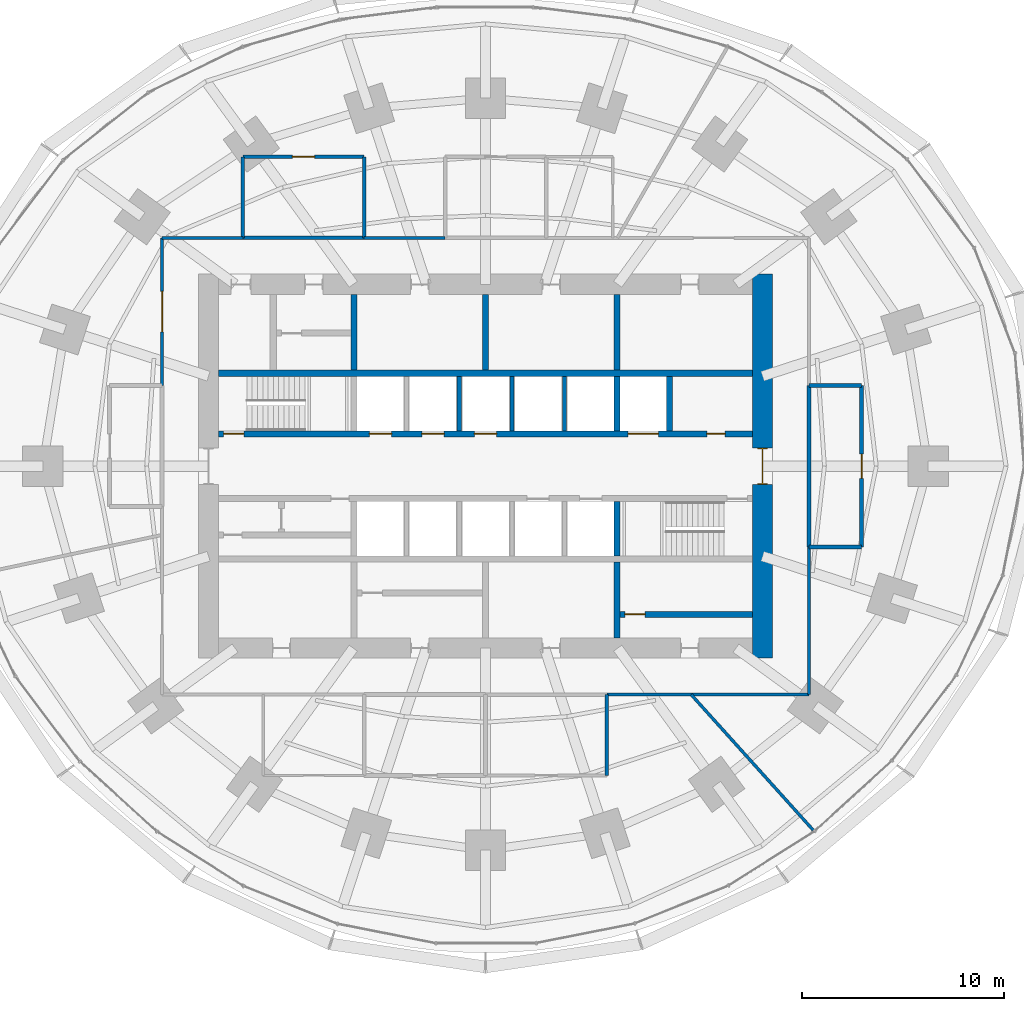
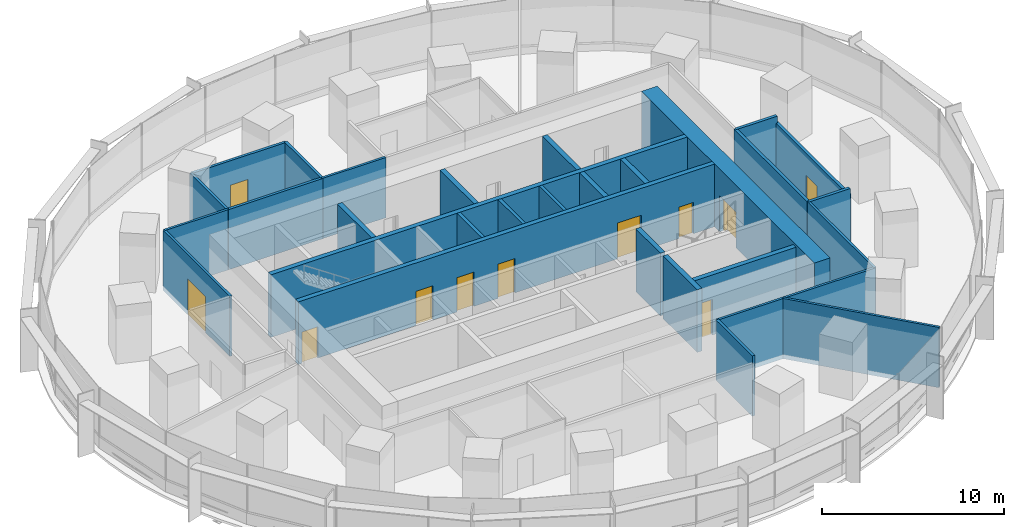
# One storey, part 12 of 15: 29 walls, 11 doors, 11 openings.
"""IFC4 building model written with IfcOpenShell, lengths in metres."""

from ifc_helpers import new_model, si_unit, direction, frame, frame_2d, origin, place, context, subcontext, project, spatial, rectangle, extrude, material, layer, layer_set, type_object, element, fill, save


model = new_model("IFC4")

# Units and contexts
model_context = context("Model", 3, precision=1e-05, world=origin(), true_north=direction((0.0, 1.0)))
body_context = subcontext(model_context, "Body", "Model", "MODEL_VIEW")
ifc_project = project(units=[si_unit("LENGTHUNIT", "METRE"), si_unit("AREAUNIT", "SQUARE_METRE"), si_unit("VOLUMEUNIT", "CUBIC_METRE"), si_unit("PLANEANGLEUNIT", "RADIAN"), si_unit("MASSUNIT", "GRAM", prefix="KILO")], contexts=[model_context])

# Site, building, storey
site_placement = place(None, origin())
site = spatial("IfcSite", under=ifc_project, at=site_placement, CompositionType="ELEMENT")
building_placement = place(site_placement, origin())
building = spatial("IfcBuilding", under=site, at=building_placement, Name="Marramba Exchange Tower", CompositionType="ELEMENT")
storey_placement = place(building_placement, frame((0.0, 0.0, 49.0)))
storey = spatial("IfcBuildingStorey", under=building, at=storey_placement, Name="L11", CompositionType="ELEMENT", Elevation=49.0)

# Walls
ifc_material_1 = material(Name="Plasterboard on staggered double steel studs, acoustic insulation", Category="steel")
ifc_layer_1 = layer(ifc_material_1, 0.169921875)
ifc_layer_set_1 = layer_set([ifc_layer_1], Name="Acoustic partition 170")
wall_type_1 = type_object("IfcWallType", Name="Acoustic partition 170", PredefinedType="PARTITIONING", material=ifc_layer_set_1)
for number, where, z_axis, x_axis, name in (
    (1, (6.0, -15.300048828125, 0.0), (0.0, 0.0, 1.0), (0.0, 1.0, 0.0), "Acoustic partition L11 13"),
    (2, (-6.0, 11.300048828125, 0.0), (0.0, 0.0, 1.0), (0.0, 1.0, 0.0), "Acoustic partition L11 31"),
):
    element("IfcWall", number, at=place(storey_placement, frame(where, z_axis=z_axis, x_axis=x_axis)), inside=storey, type_object=wall_type_1, Name=name, PredefinedType="PARTITIONING", context=body_context, shape_type="SweptSolid", body=[
        extrude(rectangle(XDim=4.0, YDim=0.169921875, at=frame_2d((2.0, 0.0))), origin(), (0.0, 0.0, 1.0), 4.0400390625),
    ])

# Wall, opening, door
wall_1_placement = place(storey_placement, frame((-6.0, 15.300048828125, 0.0), z_axis=(0.0, 0.0, 1.0), x_axis=(-1.0, 0.0, 0.0)))
wall_1 = element("IfcWall", 3, at=wall_1_placement, inside=storey, type_object=wall_type_1, Name="Acoustic partition L11 32", PredefinedType="PARTITIONING", context=body_context, shape_type="SweptSolid", body=[
    extrude(rectangle(XDim=6.0, YDim=0.169921875, at=frame_2d((3.0, 0.0))), origin(), (0.0, 0.0, 1.0), 4.0400390625),
])
opening_1_placement = place(wall_1_placement, frame((2.449951171875, 0.0, 0.0)))
opening_1 = element("IfcOpeningElement", 4, at=opening_1_placement, cuts=wall_1, Name="Opening D15", PredefinedType="OPENING", context=body_context, shape_type="SweptSolid", body=[
    extrude(rectangle(XDim=1.10009765625, YDim=2.39990234375, at=frame_2d((0.550048828125, 1.199951171875))), frame((0.0, 0.094970703125, 0.0), z_axis=(0.0, -1.0, 0.0), x_axis=(1.0, 0.0, 0.0)), (0.0, 0.0, 1.0), 0.18994140625),
])
ifc_material_2 = material(Name="Timber door", Category="wood")
door_type_1 = type_object("IfcDoorType", Name="Glazed meeting room door 1100x2400", OperationType="SINGLE_SWING_LEFT", PredefinedType="DOOR", material=ifc_material_2)
door_1_placement = place(opening_1_placement, origin())
door_1 = element("IfcDoor", 5, at=door_1_placement, inside=storey, type_object=door_type_1, Name="D15 Meeting Room 2 L11", OperationType="SINGLE_SWING_RIGHT", OverallHeight=2.39990234375, OverallWidth=1.10009765625, PredefinedType="DOOR", context=body_context, shape_type="SweptSolid", body=[
    extrude(rectangle(XDim=1.10009765625, YDim=2.39990234375, at=frame_2d((0.550048828125, 1.199951171875))), frame((0.0, 0.02490234375, 0.0), z_axis=(0.0, -1.0, 0.0), x_axis=(1.0, 0.0, 0.0)), (0.0, 0.0, 1.0), 0.050048828125),
])
fill(opening_1, door_1)

# Walls
wall_2_placement = place(storey_placement, frame((-12.0, 11.300048828125, 0.0), z_axis=(0.0, 0.0, 1.0), x_axis=(1.0, 0.0, 0.0)))
element("IfcWall", 6, at=wall_2_placement, inside=storey, type_object=wall_type_1, Name="Acoustic partition L11 33", PredefinedType="PARTITIONING", context=body_context, shape_type="SweptSolid", body=[
    extrude(rectangle(XDim=6.0, YDim=0.169921875, at=frame_2d((3.0, 0.0))), origin(), (0.0, 0.0, 1.0), 4.0400390625),
])
wall_3_placement = place(storey_placement, frame((-12.0, 15.300048828125, 0.0), z_axis=(0.0, 0.0, 1.0), x_axis=(0.0, -1.0, 0.0)))
element("IfcWall", 7, at=wall_3_placement, inside=storey, type_object=wall_type_1, Name="Acoustic partition L11 34", PredefinedType="PARTITIONING", context=body_context, shape_type="SweptSolid", body=[
    extrude(rectangle(XDim=4.0, YDim=0.169921875, at=frame_2d((2.0, 0.0))), origin(), (0.0, 0.0, 1.0), 4.0400390625),
])
ifc_material_3 = material(Name="Concrete N50", Category="concrete")
ifc_layer_2 = layer(ifc_material_3, 0.199951171875)
ifc_layer_set_2 = layer_set([ifc_layer_2], Name="Core shaft wall 200")
wall_type_2 = type_object("IfcWallType", Name="Core shaft wall 200", PredefinedType="SHEAR", material=ifc_layer_set_2)
for number, where, z_axis, x_axis, name in (
    (8, (-1.300048828125, 1.75, 0.0), (0.0, 0.0, 1.0), (0.0, 1.0, 0.0), "Core wall SHN2 L11"),
    (9, (1.300048828125, 1.75, 0.0), (0.0, 0.0, 1.0), (0.0, 1.0, 0.0), "Core wall SHN3 L11"),
    (10, (3.89990234375, 1.75, 0.0), (0.0, 0.0, 1.0), (0.0, 1.0, 0.0), "Core wall SHN4 L11"),
):
    element("IfcWall", number, at=place(storey_placement, frame(where, z_axis=z_axis, x_axis=x_axis)), inside=storey, type_object=wall_type_2, Name=name, PredefinedType="SHEAR", context=body_context, shape_type="SweptSolid", body=[
        extrude(rectangle(XDim=2.699951171875, YDim=0.199951171875, at=frame_2d((1.35009765625, 0.0))), origin(), (0.0, 0.0, 1.0), 4.199951171875),
    ])

# Wall, opening, door
ifc_layer_3 = layer(ifc_material_3, 1.0)
ifc_layer_set_3 = layer_set([ifc_layer_3], Name="Core wall 1000")
wall_type_3 = type_object("IfcWallType", Name="Core wall 1000", PredefinedType="SHEAR", material=ifc_layer_set_3)
wall_4_placement = place(storey_placement, frame((13.699951171875, -9.5, 0.0), z_axis=(0.0, 0.0, 1.0), x_axis=(0.0, 1.0, 0.0)))
wall_4 = element("IfcWall", 11, at=wall_4_placement, inside=storey, type_object=wall_type_3, Name="Core wall E L11", PredefinedType="SHEAR", context=body_context, shape_type="SweptSolid", body=[
    extrude(rectangle(XDim=19.0, YDim=1.0, at=frame_2d((9.5, 0.0))), origin(), (0.0, 0.0, 1.0), 4.199951171875),
])
opening_2_placement = place(wall_4_placement, frame((8.60009765625, 0.0, 0.0)))
opening_2 = element("IfcOpeningElement", 12, at=opening_2_placement, cuts=wall_4, Name="Opening D1", PredefinedType="OPENING", context=body_context, shape_type="SweptSolid", body=[
    extrude(rectangle(XDim=1.800048828125, YDim=2.39990234375, at=frame_2d((0.89990234375, 1.199951171875))), frame((0.0, 0.510009765625, 0.0), z_axis=(0.0, -1.0, 0.0), x_axis=(1.0, 0.0, 0.0)), (0.0, 0.0, 1.0), 1.02001953125),
])
ifc_material_4 = material(Name="Steel-framed door", Category="steel")
door_type_2 = type_object("IfcDoorType", Name="Lobby exit door 1800x2400", OperationType="DOUBLE_DOOR_SINGLE_SWING", PredefinedType="DOOR", material=ifc_material_4)
door_2_placement = place(opening_2_placement, origin())
door_2 = element("IfcDoor", 13, at=door_2_placement, inside=storey, type_object=door_type_2, Name="D1 lobby exit east L11", OperationType="DOUBLE_DOOR_SINGLE_SWING", OverallHeight=2.39990234375, OverallWidth=1.800048828125, PredefinedType="DOOR", context=body_context, shape_type="SweptSolid", body=[
    extrude(rectangle(XDim=1.719970703125, YDim=2.35986328125, at=frame_2d((0.89990234375, 1.179931640625))), frame((0.0, 0.02490234375, 0.0), z_axis=(0.0, -1.0, 0.0), x_axis=(1.0, 0.0, 0.0)), (0.0, 0.0, 1.0), 0.050048828125),
    extrude(rectangle(XDim=0.04, YDim=2.39990234375, at=frame_2d((0.02001953125, 1.199951171875))), frame((0.0, 0.25, 0.0), z_axis=(0.0, -1.0, 0.0), x_axis=(1.0, 0.0, 0.0)), (0.0, 0.0, 1.0), 0.5),
    extrude(rectangle(XDim=0.04, YDim=2.39990234375, at=frame_2d((1.780029296875, 1.199951171875))), frame((0.0, 0.25, 0.0), z_axis=(0.0, -1.0, 0.0), x_axis=(1.0, 0.0, 0.0)), (0.0, 0.0, 1.0), 0.5),
    extrude(rectangle(XDim=1.719970703125, YDim=0.04, at=frame_2d((0.89990234375, 2.3798828125))), frame((0.0, 0.25, 0.0), z_axis=(0.0, -1.0, 0.0), x_axis=(1.0, 0.0, 0.0)), (0.0, 0.0, 1.0), 0.5),
])
fill(opening_2, door_2)

# Wall, openings, doors
ifc_layer_4 = layer(ifc_material_3, 0.300048828125)
ifc_layer_set_4 = layer_set([ifc_layer_4], Name="Core wall 300")
wall_type_4 = type_object("IfcWallType", Name="Core wall 300", PredefinedType="SHEAR", material=ifc_layer_set_4)
wall_5_placement = place(storey_placement, frame((-13.199951171875, 1.60009765625, 0.0), z_axis=(0.0, 0.0, 1.0), x_axis=(1.0, 0.0, 0.0)))
wall_5 = element("IfcWall", 14, at=wall_5_placement, inside=storey, type_object=wall_type_4, Name="Core wall LN L11", PredefinedType="SHEAR", context=body_context, shape_type="SweptSolid", body=[
    extrude(rectangle(XDim=26.39990234375, YDim=0.300048828125, at=frame_2d((13.199951171875, 0.0))), origin(), (0.0, 0.0, 1.0), 4.199951171875),
])
opening_3_placement = place(wall_5_placement, frame((0.25, 0.0, 0.0)))
opening_3 = element("IfcOpeningElement", 15, at=opening_3_placement, cuts=wall_5, Name="Opening D2", PredefinedType="OPENING", context=body_context, shape_type="SweptSolid", body=[
    extrude(rectangle(XDim=1.0, YDim=2.10009765625, at=frame_2d((0.5, 1.050048828125))), frame((0.0, 0.159912109375, 0.0), z_axis=(0.0, -1.0, 0.0), x_axis=(1.0, 0.0, 0.0)), (0.0, 0.0, 1.0), 0.320068359375),
])
opening_4_placement = place(wall_5_placement, frame((20.25, 0.0, 0.0)))
opening_4 = element("IfcOpeningElement", 16, at=opening_4_placement, cuts=wall_5, Name="Opening LD3", PredefinedType="OPENING", context=body_context, shape_type="SweptSolid", body=[
    extrude(rectangle(XDim=1.5, YDim=2.39990234375, at=frame_2d((0.75, 1.199951171875))), frame((0.0, 0.159912109375, 0.0), z_axis=(0.0, -1.0, 0.0), x_axis=(1.0, 0.0, 0.0)), (0.0, 0.0, 1.0), 0.320068359375),
])
opening_5_placement = place(wall_5_placement, frame((7.449951171875, 0.0, 0.0)))
opening_5 = element("IfcOpeningElement", 17, at=opening_5_placement, cuts=wall_5, Name="Opening LD1", PredefinedType="OPENING", context=body_context, shape_type="SweptSolid", body=[
    extrude(rectangle(XDim=1.10009765625, YDim=2.300048828125, at=frame_2d((0.550048828125, 1.14990234375))), frame((0.0, 0.159912109375, 0.0), z_axis=(0.0, -1.0, 0.0), x_axis=(1.0, 0.0, 0.0)), (0.0, 0.0, 1.0), 0.320068359375),
])
opening_6_placement = place(wall_5_placement, frame((10.050048828125, 0.0, 0.0)))
opening_6 = element("IfcOpeningElement", 18, at=opening_6_placement, cuts=wall_5, Name="Opening LD1", PredefinedType="OPENING", context=body_context, shape_type="SweptSolid", body=[
    extrude(rectangle(XDim=1.10009765625, YDim=2.300048828125, at=frame_2d((0.550048828125, 1.14990234375))), frame((0.0, 0.159912109375, 0.0), z_axis=(0.0, -1.0, 0.0), x_axis=(1.0, 0.0, 0.0)), (0.0, 0.0, 1.0), 0.320068359375),
])
opening_7_placement = place(wall_5_placement, frame((12.64990234375, 0.0, 0.0)))
opening_7 = element("IfcOpeningElement", 19, at=opening_7_placement, cuts=wall_5, Name="Opening LD1", PredefinedType="OPENING", context=body_context, shape_type="SweptSolid", body=[
    extrude(rectangle(XDim=1.10009765625, YDim=2.300048828125, at=frame_2d((0.550048828125, 1.14990234375))), frame((0.0, 0.159912109375, 0.0), z_axis=(0.0, -1.0, 0.0), x_axis=(1.0, 0.0, 0.0)), (0.0, 0.0, 1.0), 0.320068359375),
])
opening_8_placement = place(wall_5_placement, frame((24.14990234375, 0.0, 0.0)))
opening_8 = element("IfcOpeningElement", 20, at=opening_8_placement, cuts=wall_5, Name="Opening D5", PredefinedType="OPENING", context=body_context, shape_type="SweptSolid", body=[
    extrude(rectangle(XDim=0.89990234375, YDim=2.10009765625, at=frame_2d((0.449951171875, 1.050048828125))), frame((0.0, 0.159912109375, 0.0), z_axis=(0.0, -1.0, 0.0), x_axis=(1.0, 0.0, 0.0)), (0.0, 0.0, 1.0), 0.320068359375),
])
door_type_3 = type_object("IfcDoorType", Name="Goods lift landing door 1500x2400", OperationType="SLIDING_TO_LEFT", PredefinedType="DOOR", material=ifc_material_4)
door_3_placement = place(opening_4_placement, origin())
door_3 = element("IfcDoor", 21, at=door_3_placement, inside=storey, type_object=door_type_3, Name="GL1 landing door L11", OperationType="SLIDING_TO_LEFT", OverallHeight=2.39990234375, OverallWidth=1.5, PredefinedType="DOOR", context=body_context, shape_type="SweptSolid", body=[
    extrude(rectangle(XDim=1.5, YDim=2.39990234375, at=frame_2d((0.75, 1.199951171875))), frame((0.0, 0.02490234375, 0.0), z_axis=(0.0, -1.0, 0.0), x_axis=(1.0, 0.0, 0.0)), (0.0, 0.0, 1.0), 0.050048828125),
])
fill(opening_4, door_3)
door_type_4 = type_object("IfcDoorType", Name="Lift landing door 1100x2300", OperationType="SLIDING_TO_LEFT", PredefinedType="DOOR", material=ifc_material_4)
door_4_placement = place(opening_5_placement, origin())
door_4 = element("IfcDoor", 22, at=door_4_placement, inside=storey, type_object=door_type_4, Name="LA1 landing door L11", OperationType="SLIDING_TO_LEFT", OverallHeight=2.300048828125, OverallWidth=1.10009765625, PredefinedType="DOOR", context=body_context, shape_type="SweptSolid", body=[
    extrude(rectangle(XDim=1.10009765625, YDim=2.300048828125, at=frame_2d((0.550048828125, 1.14990234375))), frame((0.0, 0.02490234375, 0.0), z_axis=(0.0, -1.0, 0.0), x_axis=(1.0, 0.0, 0.0)), (0.0, 0.0, 1.0), 0.050048828125),
])
fill(opening_5, door_4)
door_5_placement = place(opening_6_placement, origin())
door_5 = element("IfcDoor", 23, at=door_5_placement, inside=storey, type_object=door_type_4, Name="LA2 landing door L11", OperationType="SLIDING_TO_LEFT", OverallHeight=2.300048828125, OverallWidth=1.10009765625, PredefinedType="DOOR", context=body_context, shape_type="SweptSolid", body=[
    extrude(rectangle(XDim=1.10009765625, YDim=2.300048828125, at=frame_2d((0.550048828125, 1.14990234375))), frame((0.0, 0.02490234375, 0.0), z_axis=(0.0, -1.0, 0.0), x_axis=(1.0, 0.0, 0.0)), (0.0, 0.0, 1.0), 0.050048828125),
])
fill(opening_6, door_5)
door_6_placement = place(opening_7_placement, origin())
door_6 = element("IfcDoor", 24, at=door_6_placement, inside=storey, type_object=door_type_4, Name="LA3 landing door L11", OperationType="SLIDING_TO_RIGHT", OverallHeight=2.300048828125, OverallWidth=1.10009765625, PredefinedType="DOOR", context=body_context, shape_type="SweptSolid", body=[
    extrude(rectangle(XDim=1.10009765625, YDim=2.300048828125, at=frame_2d((0.550048828125, 1.14990234375))), frame((0.0, 0.02490234375, 0.0), z_axis=(0.0, -1.0, 0.0), x_axis=(1.0, 0.0, 0.0)), (0.0, 0.0, 1.0), 0.050048828125),
])
fill(opening_7, door_6)
door_type_5 = type_object("IfcDoorType", Name="Service door 900x2100", OperationType="SINGLE_SWING_LEFT", PredefinedType="DOOR", material=ifc_material_4)
door_7_placement = place(opening_8_placement, origin())
door_7 = element("IfcDoor", 25, at=door_7_placement, inside=storey, type_object=door_type_5, Name="D5 riser L11", OperationType="SINGLE_SWING_RIGHT", OverallHeight=2.10009765625, OverallWidth=0.89990234375, PredefinedType="DOOR", context=body_context, shape_type="SweptSolid", body=[
    extrude(rectangle(XDim=0.89990234375, YDim=2.10009765625, at=frame_2d((0.449951171875, 1.050048828125))), frame((0.0, 0.02490234375, 0.0), z_axis=(0.0, -1.0, 0.0), x_axis=(1.0, 0.0, 0.0)), (0.0, 0.0, 1.0), 0.050048828125),
])
fill(opening_8, door_7)
door_type_6 = type_object("IfcDoorType", Name="Stair door 1000x2100", OperationType="SINGLE_SWING_LEFT", PredefinedType="DOOR", material=ifc_material_4)
door_8_placement = place(opening_3_placement, origin())
door_8 = element("IfcDoor", 26, at=door_8_placement, inside=storey, type_object=door_type_6, Name="D2 stair ST1 L11", OperationType="SINGLE_SWING_LEFT", OverallHeight=2.10009765625, OverallWidth=1.0, PredefinedType="DOOR", context=body_context, shape_type="SweptSolid", body=[
    extrude(rectangle(XDim=1.0, YDim=2.10009765625, at=frame_2d((0.5, 1.050048828125))), frame((0.0, 0.02490234375, 0.0), z_axis=(0.0, -1.0, 0.0), x_axis=(1.0, 0.0, 0.0)), (0.0, 0.0, 1.0), 0.050048828125),
])
fill(opening_3, door_8)

# Walls
wall_6_placement = place(storey_placement, frame((-13.199951171875, 4.60009765625, 0.0), z_axis=(0.0, 0.0, 1.0), x_axis=(1.0, 0.0, 0.0)))
element("IfcWall", 27, at=wall_6_placement, inside=storey, type_object=wall_type_4, Name="Core wall BN L11", PredefinedType="SHEAR", context=body_context, shape_type="SweptSolid", body=[
    extrude(rectangle(XDim=26.39990234375, YDim=0.300048828125, at=frame_2d((13.199951171875, 0.0))), origin(), (0.0, 0.0, 1.0), 4.199951171875),
])
wall_7_placement = place(storey_placement, frame((-6.5, 4.75, 0.0), z_axis=(0.0, 0.0, 1.0), x_axis=(0.0, 1.0, 0.0)))
element("IfcWall", 28, at=wall_7_placement, inside=storey, type_object=wall_type_4, Name="Core wall X0Nb L11", PredefinedType="SHEAR", context=body_context, shape_type="SweptSolid", body=[
    extrude(rectangle(XDim=3.75, YDim=0.300048828125, at=frame_2d((1.875, 0.0))), origin(), (0.0, 0.0, 1.0), 4.199951171875),
])
wall_8_placement = place(storey_placement, frame((6.5, 1.75, 0.0), z_axis=(0.0, 0.0, 1.0), x_axis=(0.0, 1.0, 0.0)))
element("IfcWall", 29, at=wall_8_placement, inside=storey, type_object=wall_type_4, Name="Core wall X1Na L11", PredefinedType="SHEAR", context=body_context, shape_type="SweptSolid", body=[
    extrude(rectangle(XDim=2.699951171875, YDim=0.300048828125, at=frame_2d((1.35009765625, 0.0))), origin(), (0.0, 0.0, 1.0), 4.199951171875),
])
for number, where, z_axis, x_axis, name in (
    (30, (6.5, 4.75, 0.0), (0.0, 0.0, 1.0), (0.0, 1.0, 0.0), "Core wall X1Nb L11"),
    (31, (0.0, 4.75, 0.0), (0.0, 0.0, 1.0), (0.0, 1.0, 0.0), "Core wall MN L11"),
):
    element("IfcWall", number, at=place(storey_placement, frame(where, z_axis=z_axis, x_axis=x_axis)), inside=storey, type_object=wall_type_4, Name=name, PredefinedType="SHEAR", context=body_context, shape_type="SweptSolid", body=[
        extrude(rectangle(XDim=3.75, YDim=0.300048828125, at=frame_2d((1.875, 0.0))), origin(), (0.0, 0.0, 1.0), 4.199951171875),
    ])
wall_9_placement = place(storey_placement, frame((6.5, -1.75, 0.0), z_axis=(0.0, 0.0, 1.0), x_axis=(0.0, -1.0, 0.0)))
element("IfcWall", 32, at=wall_9_placement, inside=storey, type_object=wall_type_4, Name="Core wall X1Sa L11", PredefinedType="SHEAR", context=body_context, shape_type="SweptSolid", body=[
    extrude(rectangle(XDim=2.699951171875, YDim=0.300048828125, at=frame_2d((1.35009765625, 0.0))), origin(), (0.0, 0.0, 1.0), 4.199951171875),
])
wall_10_placement = place(storey_placement, frame((6.5, -4.75, 0.0), z_axis=(0.0, 0.0, 1.0), x_axis=(0.0, -1.0, 0.0)))
element("IfcWall", 33, at=wall_10_placement, inside=storey, type_object=wall_type_4, Name="Core wall X1Sb L11", PredefinedType="SHEAR", context=body_context, shape_type="SweptSolid", body=[
    extrude(rectangle(XDim=3.75, YDim=0.300048828125, at=frame_2d((1.875, 0.0))), origin(), (0.0, 0.0, 1.0), 4.199951171875),
])
wall_11_placement = place(storey_placement, frame((9.10009765625, 1.75, 0.0), z_axis=(0.0, 0.0, 1.0), x_axis=(0.0, 1.0, 0.0)))
element("IfcWall", 34, at=wall_11_placement, inside=storey, type_object=wall_type_4, Name="Core wall ED L11", PredefinedType="SHEAR", context=body_context, shape_type="SweptSolid", body=[
    extrude(rectangle(XDim=2.699951171875, YDim=0.300048828125, at=frame_2d((1.35009765625, 0.0))), origin(), (0.0, 0.0, 1.0), 4.199951171875),
])
ifc_material_5 = material(Name="Core-filled concrete blockwork, rendered", Category="masonry")
ifc_layer_5 = layer(ifc_material_5, 0.18994140625)
ifc_layer_set_5 = layer_set([ifc_layer_5], Name="Equipment room wall 190")
wall_type_5 = type_object("IfcWallType", Name="Equipment room wall 190", PredefinedType="SOLIDWALL", material=ifc_layer_set_5)
wall_12_placement = place(storey_placement, frame((16.0, -4.0, 0.0), z_axis=(0.0, 0.0, 1.0), x_axis=(1.0, 0.0, 0.0)))
element("IfcWall", 35, at=wall_12_placement, inside=storey, type_object=wall_type_5, Name="Equipment room wall L11 17", PredefinedType="SOLIDWALL", context=body_context, shape_type="SweptSolid", body=[
    extrude(rectangle(XDim=2.60009765625, YDim=0.18994140625, at=frame_2d((1.300048828125, 0.0))), origin(), (0.0, 0.0, 1.0), 4.0400390625),
])
wall_13_placement = place(storey_placement, frame((16.0, 4.0, 0.0), z_axis=(0.0, 0.0, 1.0), x_axis=(0.0, -1.0, 0.0)))
element("IfcWall", 36, at=wall_13_placement, inside=storey, type_object=wall_type_5, Name="Equipment room wall L11 18", PredefinedType="SOLIDWALL", context=body_context, shape_type="SweptSolid", body=[
    extrude(rectangle(XDim=8.0, YDim=0.18994140625, at=frame_2d((4.0, 0.0))), origin(), (0.0, 0.0, 1.0), 4.0400390625),
])

# Wall, opening, door
wall_14_placement = place(storey_placement, frame((18.60009765625, -4.0, 0.0), z_axis=(0.0, 0.0, 1.0), x_axis=(0.0, 1.0, 0.0)))
wall_14 = element("IfcWall", 37, at=wall_14_placement, inside=storey, type_object=wall_type_5, Name="Equipment room wall L11 19", PredefinedType="SOLIDWALL", context=body_context, shape_type="SweptSolid", body=[
    extrude(rectangle(XDim=8.0, YDim=0.18994140625, at=frame_2d((4.0, 0.0))), origin(), (0.0, 0.0, 1.0), 3.5859375),
])
opening_9_placement = place(wall_14_placement, frame((3.39990234375, 0.0, 0.0)))
opening_9 = element("IfcOpeningElement", 38, at=opening_9_placement, cuts=wall_14, Name="Opening D16", PredefinedType="OPENING", context=body_context, shape_type="SweptSolid", body=[
    extrude(rectangle(XDim=1.199951171875, YDim=2.10009765625, at=frame_2d((0.60009765625, 1.050048828125))), frame((0.0, 0.10498046875, 0.0), z_axis=(0.0, -1.0, 0.0), x_axis=(1.0, 0.0, 0.0)), (0.0, 0.0, 1.0), 0.2099609375),
])
door_type_7 = type_object("IfcDoorType", Name="Equipment room door 1200x2100", OperationType="SINGLE_SWING_LEFT", PredefinedType="DOOR", material=ifc_material_4)
door_9_placement = place(opening_9_placement, origin())
door_9 = element("IfcDoor", 39, at=door_9_placement, inside=storey, type_object=door_type_7, Name="D16 Data Room 1 L11", OperationType="SINGLE_SWING_RIGHT", OverallHeight=2.10009765625, OverallWidth=1.199951171875, PredefinedType="DOOR", context=body_context, shape_type="SweptSolid", body=[
    extrude(rectangle(XDim=1.199951171875, YDim=2.10009765625, at=frame_2d((0.60009765625, 1.050048828125))), frame((0.0, 0.02490234375, 0.0), z_axis=(0.0, -1.0, 0.0), x_axis=(1.0, 0.0, 0.0)), (0.0, 0.0, 1.0), 0.050048828125),
])
fill(opening_9, door_9)

# Wall
wall_15_placement = place(storey_placement, frame((18.60009765625, 4.0, 0.0), z_axis=(0.0, 0.0, 1.0), x_axis=(-1.0, 0.0, 0.0)))
element("IfcWall", 40, at=wall_15_placement, inside=storey, type_object=wall_type_5, Name="Equipment room wall L11 20", PredefinedType="SOLIDWALL", context=body_context, shape_type="SweptSolid", body=[
    extrude(rectangle(XDim=2.60009765625, YDim=0.18994140625, at=frame_2d((1.300048828125, 0.0))), origin(), (0.0, 0.0, 1.0), 4.0400390625),
])

# Wall, opening, door
ifc_material_6 = material(Name="Plasterboard on steel studs, insulated, unrated", Category="steel")
ifc_layer_6 = layer(ifc_material_6, 0.300048828125)
ifc_layer_set_6 = layer_set([ifc_layer_6], Name="Store partition 300")
wall_type_6 = type_object("IfcWallType", Name="Store partition 300", PredefinedType="PARTITIONING", material=ifc_layer_set_6)
wall_16_placement = place(storey_placement, frame((6.64990234375, -7.327880859375, 0.0), z_axis=(0.0, 0.0, 1.0), x_axis=(1.0, 0.0, 0.0)))
wall_16 = element("IfcWall", 41, at=wall_16_placement, inside=storey, type_object=wall_type_6, Name="Store partition L11 cstore", PredefinedType="PARTITIONING", context=body_context, shape_type="SweptSolid", body=[
    extrude(rectangle(XDim=6.550048828125, YDim=0.300048828125, at=frame_2d((3.27490234375, 0.0))), origin(), (0.0, 0.0, 1.0), 4.0400390625),
])
opening_10_placement = place(wall_16_placement, frame((0.25, 0.0, 0.0)))
opening_10 = element("IfcOpeningElement", 42, at=opening_10_placement, cuts=wall_16, Name="Opening D9", PredefinedType="OPENING", context=body_context, shape_type="SweptSolid", body=[
    extrude(rectangle(XDim=1.0, YDim=2.39990234375, at=frame_2d((0.5, 1.199951171875))), frame((0.0, 0.159912109375, 0.0), z_axis=(0.0, -1.0, 0.0), x_axis=(1.0, 0.0, 0.0)), (0.0, 0.0, 1.0), 0.320068359375),
])
door_type_8 = type_object("IfcDoorType", Name="Room door 1000x2400", OperationType="SINGLE_SWING_LEFT", PredefinedType="DOOR", material=ifc_material_2)
door_10_placement = place(opening_10_placement, frame((1.0, 0.0, 0.0), z_axis=(0.0, 0.0, 1.0), x_axis=(-1.0, 0.0, 0.0)))
door_10 = element("IfcDoor", 43, at=door_10_placement, inside=storey, type_object=door_type_8, Name="D9 general store L11", OperationType="SINGLE_SWING_RIGHT", OverallHeight=2.39990234375, OverallWidth=1.0, PredefinedType="DOOR", context=body_context, shape_type="SweptSolid", body=[
    extrude(rectangle(XDim=1.0, YDim=2.39990234375, at=frame_2d((0.5, 1.199951171875))), frame((0.0, 0.025146484375, 0.0), z_axis=(0.0, -1.0, 0.0), x_axis=(1.0, 0.0, 0.0)), (0.0, 0.0, 1.0), 0.050048828125),
])
fill(opening_10, door_10)

# Walls
ifc_material_7 = material(Name="Fire-rated plasterboard on steel studs, acoustic insulation", Category="steel")
ifc_layer_7 = layer(ifc_material_7, 0.14990234375)
ifc_layer_set_7 = layer_set([ifc_layer_7], Name="Tenancy wall 150")
wall_type_7 = type_object("IfcWallType", Name="Tenancy wall 150", PredefinedType="PARTITIONING", material=ifc_layer_set_7)
wall_17_placement = place(storey_placement, frame((16.21435546875, -18.0078125, 0.0), z_axis=(0.0, 0.0, 1.0), x_axis=(-0.669136564673, 0.743139460544, 0.0)))
element("IfcWall", 44, at=wall_17_placement, inside=storey, type_object=wall_type_7, Name="Tenancy wall L11 14", PredefinedType="PARTITIONING", context=body_context, shape_type="SweptSolid", body=[
    extrude(rectangle(XDim=9.0263671875, YDim=0.14990234375, at=frame_2d((4.51318359375, 0.0))), origin(), (0.0, 0.0, 1.0), 4.0400390625),
])
wall_18_placement = place(storey_placement, frame((6.0, -11.300048828125, 0.0), z_axis=(0.0, 0.0, 1.0), x_axis=(1.0, 0.0, 0.0)))
element("IfcWall", 45, at=wall_18_placement, inside=storey, type_object=wall_type_7, Name="Tenancy wall L11 15", PredefinedType="PARTITIONING", context=body_context, shape_type="SweptSolid", body=[
    extrude(rectangle(XDim=10.0, YDim=0.14990234375, at=frame_2d((5.0, 0.0))), origin(), (0.0, 0.0, 1.0), 4.0400390625),
])
wall_19_placement = place(storey_placement, frame((16.0, -11.300048828125, 0.0), z_axis=(0.0, 0.0, 1.0), x_axis=(0.0, 1.0, 0.0)))
element("IfcWall", 46, at=wall_19_placement, inside=storey, type_object=wall_type_7, Name="Tenancy wall L11 16", PredefinedType="PARTITIONING", context=body_context, shape_type="SweptSolid", body=[
    extrude(rectangle(XDim=7.300048828125, YDim=0.14990234375, at=frame_2d((3.64990234375, 0.0))), origin(), (0.0, 0.0, 1.0), 4.0400390625),
])
for number, where, z_axis, x_axis, name in (
    (47, (-2.0, 11.300048828125, 0.0), (0.0, 0.0, 1.0), (-1.0, 0.0, 0.0), "Tenancy wall L11 30"),
    (48, (-12.0, 11.300048828125, 0.0), (0.0, 0.0, 1.0), (-1.0, 0.0, 0.0), "Tenancy wall L11 35"),
):
    element("IfcWall", number, at=place(storey_placement, frame(where, z_axis=z_axis, x_axis=x_axis)), inside=storey, type_object=wall_type_7, Name=name, PredefinedType="PARTITIONING", context=body_context, shape_type="SweptSolid", body=[
        extrude(rectangle(XDim=4.0, YDim=0.14990234375, at=frame_2d((2.0, 0.0))), origin(), (0.0, 0.0, 1.0), 4.0400390625),
    ])

# Wall, opening, door
wall_20_placement = place(storey_placement, frame((-16.0, 11.300048828125, 0.0), z_axis=(0.0, 0.0, 1.0), x_axis=(0.0, -1.0, 0.0)))
wall_20 = element("IfcWall", 49, at=wall_20_placement, inside=storey, type_object=wall_type_7, Name="Tenancy wall L11 36", PredefinedType="PARTITIONING", context=body_context, shape_type="SweptSolid", body=[
    extrude(rectangle(XDim=7.300048828125, YDim=0.14990234375, at=frame_2d((3.64990234375, 0.0))), origin(), (0.0, 0.0, 1.0), 4.0400390625),
])
opening_11_placement = place(wall_20_placement, frame((2.64990234375, 0.0, 0.0)))
opening_11 = element("IfcOpeningElement", 50, at=opening_11_placement, cuts=wall_20, Name="Opening D17", PredefinedType="OPENING", context=body_context, shape_type="SweptSolid", body=[
    extrude(rectangle(XDim=2.0, YDim=2.39990234375, at=frame_2d((1.0, 1.199951171875))), frame((0.0, 0.0849609375, 0.0), z_axis=(0.0, -1.0, 0.0), x_axis=(1.0, 0.0, 0.0)), (0.0, 0.0, 1.0), 0.169921875),
])
door_type_9 = type_object("IfcDoorType", Name="Trading floor entry door pair 2000x2400", OperationType="DOUBLE_DOOR_SINGLE_SWING", PredefinedType="DOOR", material=ifc_material_4)
door_11_placement = place(opening_11_placement, origin())
door_11 = element("IfcDoor", 51, at=door_11_placement, inside=storey, type_object=door_type_9, Name="D17 Trading Floor 2 L11", OperationType="DOUBLE_DOOR_SINGLE_SWING", OverallHeight=2.39990234375, OverallWidth=2.0, PredefinedType="DOOR", context=body_context, shape_type="SweptSolid", body=[
    extrude(rectangle(XDim=2.0, YDim=2.39990234375, at=frame_2d((1.0, 1.199951171875))), frame((0.0, 0.02490234375, 0.0), z_axis=(0.0, -1.0, 0.0), x_axis=(1.0, 0.0, 0.0)), (0.0, 0.0, 1.0), 0.050048828125),
])
fill(opening_11, door_11)

save(model, "model.ifc")
